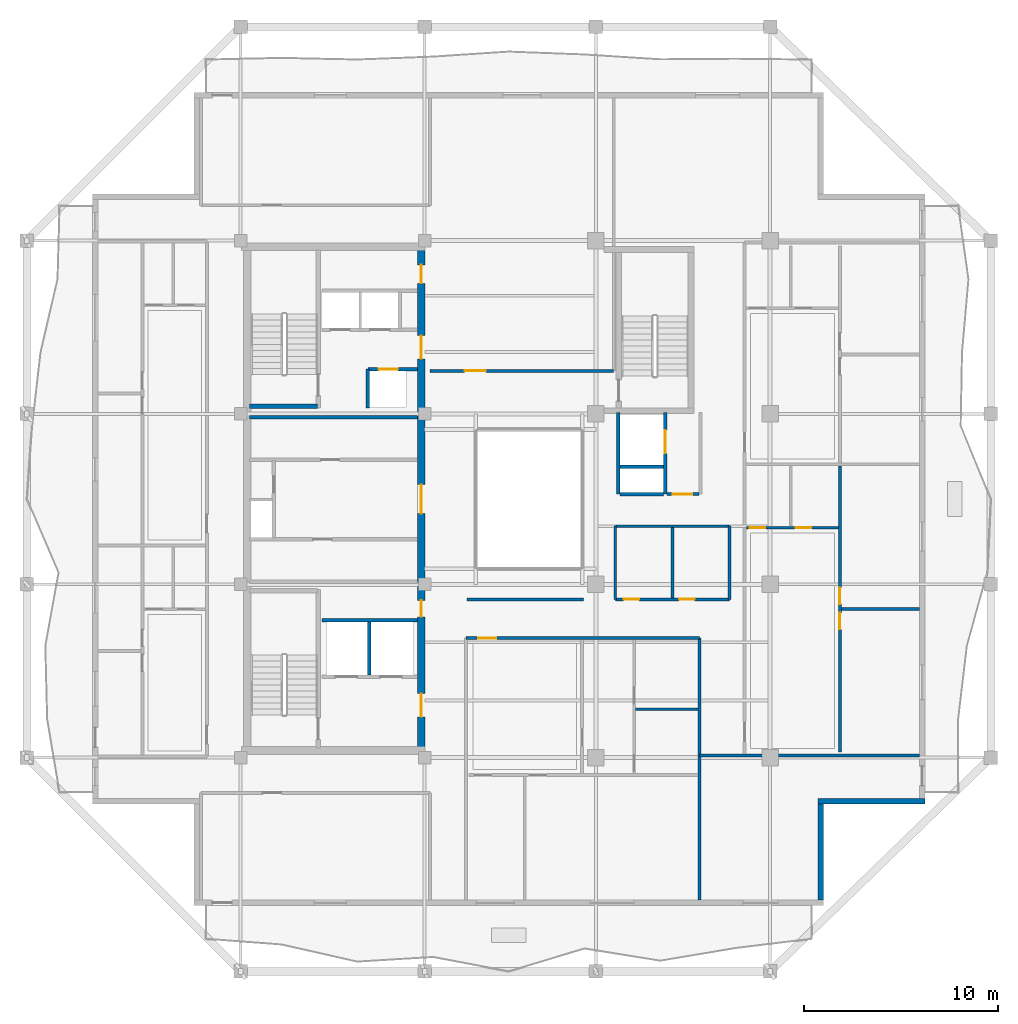
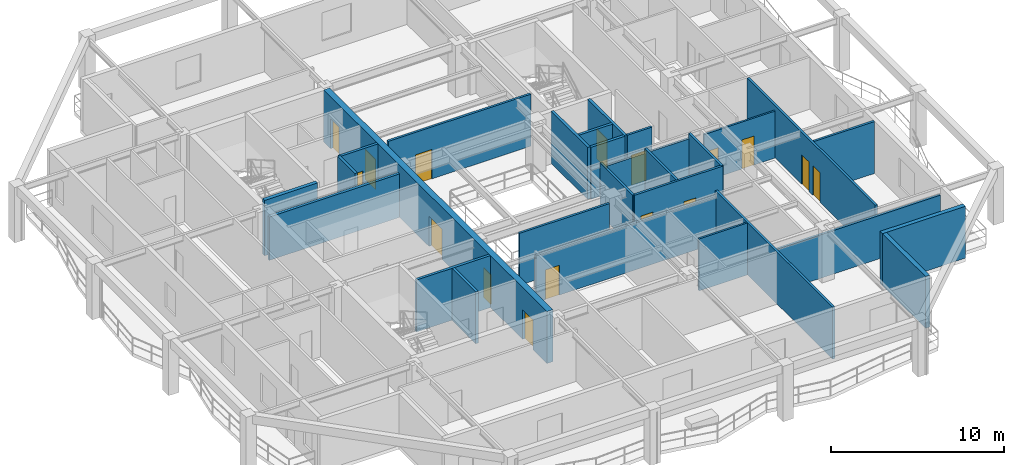
# One storey, part 4 of 12: 28 walls, 16 doors, 16 openings.
"""IFC4 building model written with IfcOpenShell, lengths in metres."""

from ifc_helpers import new_model, si_unit, direction, frame, frame_2d, origin, place, context, subcontext, project, spatial, rectangle, extrude, material, layer, layer_set, type_object, element, fill, save


model = new_model("IFC4")

# Units and contexts
model_context = context("Model", 3, precision=1e-05, world=origin(), true_north=direction((0.0, 1.0)))
body_context = subcontext(model_context, "Body", "Model", "MODEL_VIEW")
ifc_project = project(units=[si_unit("LENGTHUNIT", "METRE"), si_unit("AREAUNIT", "SQUARE_METRE"), si_unit("VOLUMEUNIT", "CUBIC_METRE"), si_unit("PLANEANGLEUNIT", "RADIAN"), si_unit("MASSUNIT", "GRAM", prefix="KILO")], contexts=[model_context])

# Site, building, storey
site_placement = place(None, origin())
site = spatial("IfcSite", under=ifc_project, at=site_placement, CompositionType="ELEMENT")
building_placement = place(site_placement, origin())
building = spatial("IfcBuilding", under=site, at=building_placement, Name="Kundavana Baori Tower", CompositionType="ELEMENT")
storey_placement = place(building_placement, frame((0.0, 0.0, 245.300048828125)))
storey = spatial("IfcBuildingStorey", under=building, at=storey_placement, Name="L60", CompositionType="ELEMENT", Elevation=245.300048828125)

# Wall, openings, doors
ifc_material_1 = material(Name="Concrete C50/60", Category="concrete")
ifc_layer_1 = layer(ifc_material_1, 0.39990234375, Name="WL-CORE-400")
ifc_layer_set_1 = layer_set([ifc_layer_1], Name="Concrete C50/60")
wall_type_1 = type_object("IfcWallType", Name="WL-CORE-400", PredefinedType="SHEAR", material=ifc_layer_set_1)
wall_1_placement = place(storey_placement, frame((24.780029296875, 15.739990234375, 0.0), z_axis=(0.0, 0.0, 1.0), x_axis=(0.0, 1.0, 0.0)))
wall_1 = element("IfcWall", 1, at=wall_1_placement, inside=storey, type_object=wall_type_1, Name="L60 Offset Core East Shear Wall", PredefinedType="SHEAR", context=body_context, shape_type="SweptSolid", body=[
    extrude(rectangle(XDim=25.760009765625, YDim=0.39990234375, at=frame_2d((12.8798828125, 0.0))), origin(), (0.0, 0.0, 1.0), 3.659912109375),
])
opening_1_placement = place(wall_1_placement, frame((1.610107421875, 0.0, 0.0)))
opening_1 = element("IfcOpeningElement", 2, at=opening_1_placement, cuts=wall_1, Name="Opening FD-120", PredefinedType="OPENING", context=body_context, shape_type="SweptSolid", body=[
    extrude(rectangle(XDim=1.199951171875, YDim=2.10009765625, at=frame_2d((0.60009765625, 1.050048828125))), frame((0.0, 0.2099609375, 0.0), z_axis=(0.0, -1.0, 0.0), x_axis=(1.0, 0.0, 0.0)), (0.0, 0.0, 1.0), 0.419921875),
])
opening_2_placement = place(wall_1_placement, frame((6.780029296875, 0.0, 0.0)))
opening_2 = element("IfcOpeningElement", 3, at=opening_2_placement, cuts=wall_1, Name="Opening FD-085", PredefinedType="OPENING", context=body_context, shape_type="SweptSolid", body=[
    extrude(rectangle(XDim=0.85009765625, YDim=2.06005859375, at=frame_2d((0.425048828125, 1.030029296875))), frame((0.0, 0.2099609375, 0.0), z_axis=(0.0, -1.0, 0.0), x_axis=(1.0, 0.0, 0.0)), (0.0, 0.0, 1.0), 0.419921875),
])
opening_3_placement = place(wall_1_placement, frame((12.110107421875, 0.0, 0.0)))
opening_3 = element("IfcOpeningElement", 4, at=opening_3_placement, cuts=wall_1, Name="Opening FD-150", PredefinedType="OPENING", context=body_context, shape_type="SweptSolid", body=[
    extrude(rectangle(XDim=1.5, YDim=2.1201171875, at=frame_2d((0.75, 1.06005859375))), frame((0.0, 0.2099609375, 0.0), z_axis=(0.0, -1.0, 0.0), x_axis=(1.0, 0.0, 0.0)), (0.0, 0.0, 1.0), 0.419921875),
])
opening_4_placement = place(wall_1_placement, frame((20.110107421875, 0.0, 0.0)))
opening_4 = element("IfcOpeningElement", 5, at=opening_4_placement, cuts=wall_1, Name="Opening FD-122", PredefinedType="OPENING", context=body_context, shape_type="SweptSolid", body=[
    extrude(rectangle(XDim=1.199951171875, YDim=2.1201171875, at=frame_2d((0.60009765625, 1.06005859375))), frame((0.0, 0.2099609375, 0.0), z_axis=(0.0, -1.0, 0.0), x_axis=(1.0, 0.0, 0.0)), (0.0, 0.0, 1.0), 0.419921875),
])
opening_5_placement = place(wall_1_placement, frame((24.010009765625, 0.0, 0.0)))
opening_5 = element("IfcOpeningElement", 6, at=opening_5_placement, cuts=wall_1, Name="Opening FD-095", PredefinedType="OPENING", context=body_context, shape_type="SweptSolid", body=[
    extrude(rectangle(XDim=0.949951171875, YDim=2.10009765625, at=frame_2d((0.47509765625, 1.050048828125))), frame((0.0, 0.2099609375, 0.0), z_axis=(0.0, -1.0, 0.0), x_axis=(1.0, 0.0, 0.0)), (0.0, 0.0, 1.0), 0.419921875),
])
ifc_material_2 = material(Name="Galvanised Steel Fire-Rated Door Leaf", Category="steel")
door_type_1 = type_object("IfcDoorType", Name="DR-FD120-1200", OperationType="NOTDEFINED", PredefinedType="DOOR", material=ifc_material_2)
door_1_placement = place(opening_1_placement, frame((1.199951171875, 0.0, 0.0), z_axis=(0.0, 0.0, 1.0), x_axis=(-1.0, 0.0, 0.0)))
door_1 = element("IfcDoor", 7, at=door_1_placement, inside=storey, type_object=door_type_1, Name="DR-L60-FFLOB-E", OperationType="SINGLE_SWING_RIGHT", OverallHeight=2.10009765625, OverallWidth=1.199951171875, PredefinedType="DOOR", context=body_context, shape_type="SweptSolid", body=[
    extrude(rectangle(XDim=1.199951171875, YDim=2.10009765625, at=frame_2d((0.60009765625, 1.050048828125))), frame((0.0, 0.02490234375, 0.0), z_axis=(0.0, -1.0, 0.0), x_axis=(1.0, 0.0, 0.0)), (0.0, 0.0, 1.0), 0.050048828125),
])
fill(opening_1, door_1)
ifc_material_3 = material(Name="Galvanised Steel Fire-Rated Door Leaf", Category="steel")
door_type_2 = type_object("IfcDoorType", Name="DR-FD60-1200", OperationType="NOTDEFINED", PredefinedType="DOOR", material=ifc_material_3)
door_2_placement = place(opening_4_placement, frame((1.199951171875, 0.0, 0.0), z_axis=(0.0, 0.0, 1.0), x_axis=(-1.0, 0.0, 0.0)))
door_2 = element("IfcDoor", 8, at=door_2_placement, inside=storey, type_object=door_type_2, Name="DR-L60-HRLOB-E", OperationType="SINGLE_SWING_RIGHT", OverallHeight=2.1201171875, OverallWidth=1.199951171875, PredefinedType="DOOR", context=body_context, shape_type="SweptSolid", body=[
    extrude(rectangle(XDim=1.199951171875, YDim=2.1201171875, at=frame_2d((0.60009765625, 1.06005859375))), frame((0.0, 0.02490234375, 0.0), z_axis=(0.0, -1.0, 0.0), x_axis=(1.0, 0.0, 0.0)), (0.0, 0.0, 1.0), 0.050048828125),
])
fill(opening_4, door_2)
ifc_material_4 = material(Name="Galvanised Steel Fire-Rated Door Leaf", Category="steel")
door_type_3 = type_object("IfcDoorType", Name="DR-FD60-1500", OperationType="NOTDEFINED", PredefinedType="DOOR", material=ifc_material_4)
door_3_placement = place(opening_3_placement, frame((1.5, 0.0, 0.0), z_axis=(0.0, 0.0, 1.0), x_axis=(-1.0, 0.0, 0.0)))
door_3 = element("IfcDoor", 9, at=door_3_placement, inside=storey, type_object=door_type_3, Name="DR-L60-LIFTHALL-E", OperationType="SINGLE_SWING_LEFT", OverallHeight=2.1201171875, OverallWidth=1.5, PredefinedType="DOOR", context=body_context, shape_type="SweptSolid", body=[
    extrude(rectangle(XDim=1.5, YDim=2.1201171875, at=frame_2d((0.75, 1.06005859375))), frame((0.0, 0.02490234375, 0.0), z_axis=(0.0, -1.0, 0.0), x_axis=(1.0, 0.0, 0.0)), (0.0, 0.0, 1.0), 0.050048828125),
])
fill(opening_3, door_3)
ifc_material_5 = material(Name="Galvanised Steel Fire-Rated Door Leaf", Category="steel")
door_type_4 = type_object("IfcDoorType", Name="DR-FD60-850", OperationType="NOTDEFINED", PredefinedType="DOOR", material=ifc_material_5)
door_4_placement = place(opening_2_placement, frame((0.85009765625, 0.0, 0.0), z_axis=(0.0, 0.0, 1.0), x_axis=(-1.0, 0.0, 0.0)))
door_4 = element("IfcDoor", 10, at=door_4_placement, inside=storey, type_object=door_type_4, Name="DR-L60-CSMK1", OperationType="SINGLE_SWING_LEFT", OverallHeight=2.06005859375, OverallWidth=0.85009765625, PredefinedType="DOOR", context=body_context, shape_type="SweptSolid", body=[
    extrude(rectangle(XDim=0.85009765625, YDim=2.06005859375, at=frame_2d((0.425048828125, 1.030029296875))), frame((0.0, 0.02490234375, 0.0), z_axis=(0.0, -1.0, 0.0), x_axis=(1.0, 0.0, 0.0)), (0.0, 0.0, 1.0), 0.050048828125),
])
fill(opening_2, door_4)
ifc_material_6 = material(Name="Engineered Teak Fire-Rated Timber Door Leaf", Category="wood")
door_type_5 = type_object("IfcDoorType", Name="DR-FD60-950", OperationType="NOTDEFINED", PredefinedType="DOOR", material=ifc_material_6)
door_5_placement = place(opening_5_placement, frame((0.949951171875, 0.0, 0.0), z_axis=(0.0, 0.0, 1.0), x_axis=(-1.0, 0.0, 0.0)))
door_5 = element("IfcDoor", 11, at=door_5_placement, inside=storey, type_object=door_type_5, Name="DR-L60-CSRV1", OperationType="SINGLE_SWING_LEFT", OverallHeight=2.10009765625, OverallWidth=0.949951171875, PredefinedType="DOOR", context=body_context, shape_type="SweptSolid", body=[
    extrude(rectangle(XDim=0.949951171875, YDim=2.10009765625, at=frame_2d((0.47509765625, 1.050048828125))), frame((0.0, 0.02490234375, 0.0), z_axis=(0.0, -1.0, 0.0), x_axis=(1.0, 0.0, 0.0)), (0.0, 0.0, 1.0), 0.050048828125),
])
fill(opening_5, door_5)

# Walls
wall_2_placement = place(storey_placement, frame((15.89990234375, 33.389892578125, 0.0), z_axis=(0.0, 0.0, 1.0), x_axis=(1.0, 0.0, 0.0)))
element("IfcWall", 12, at=wall_2_placement, inside=storey, type_object=wall_type_1, Name="WL-L60-ST2-S", PredefinedType="SHEAR", context=body_context, shape_type="SweptSolid", body=[
    extrude(rectangle(XDim=3.52001953125, YDim=0.239990234375, at=frame_2d((1.760009765625, 0.0))), origin(), (0.0, 0.0, 1.0), 3.89990234375),
])
ifc_material_7 = material(Name="Red-Buff Dholpur Sandstone Cladding on Concrete C40/50", Category="masonry")
ifc_layer_2 = layer(ifc_material_7, 0.280029296875, Name="WL-EXT-SAND-280")
ifc_layer_set_2 = layer_set([ifc_layer_2], Name="Red-Buff Dholpur Sandstone Cladding on Concrete C40/50")
wall_type_2 = type_object("IfcWallType", Name="WL-EXT-SAND-280", PredefinedType="STANDARD", material=ifc_layer_set_2)
wall_3_placement = place(storey_placement, frame((45.409912109375, 7.8798828125, 0.0), z_axis=(0.0, 0.0, 1.0), x_axis=(0.0, 1.0, 0.0)))
element("IfcWall", 13, at=wall_3_placement, inside=storey, type_object=wall_type_2, Name="L60 Exterior Insulated Facade Wall 02", PredefinedType="STANDARD", context=body_context, shape_type="SweptSolid", body=[
    extrude(rectangle(XDim=4.97021484375, YDim=0.280029296875, at=frame_2d((2.485107421875, 0.0))), origin(), (0.0, 0.0, 1.0), 3.659912109375),
])
wall_4_placement = place(storey_placement, frame((45.27001953125, 12.989990234375, 0.0), z_axis=(0.0, 0.0, 1.0), x_axis=(1.0, 0.0, 0.0)))
element("IfcWall", 14, at=wall_4_placement, inside=storey, type_object=wall_type_2, Name="L60 Exterior Insulated Facade Wall 03", PredefinedType="STANDARD", context=body_context, shape_type="SweptSolid", body=[
    extrude(rectangle(XDim=5.530029296875, YDim=0.280029296875, at=frame_2d((2.76513671875, 0.0))), origin(), (0.0, 0.0, 1.0), 3.659912109375),
])

# Wall, opening, door
ifc_material_8 = material(Name="Fire-Rated Gypsum Drywall on Galvanised Steel Studs", Category="steel")
ifc_layer_3 = layer(ifc_material_8, 0.14990234375, Name="WL-PART-150")
ifc_layer_set_3 = layer_set([ifc_layer_3], Name="Fire-Rated Gypsum Drywall on Galvanised Steel Studs")
wall_type_3 = type_object("IfcWallType", Name="WL-PART-150", PredefinedType="PARTITIONING", material=ifc_layer_set_3)
wall_5_placement = place(storey_placement, frame((37.47998046875, 28.860107421875, 0.0), z_axis=(0.0, 0.0, 1.0), x_axis=(1.0, 0.0, 0.0)))
wall_5 = element("IfcWall", 15, at=wall_5_placement, inside=storey, type_object=wall_type_3, Name="WL-L60-SVLOB-S", PredefinedType="PARTITIONING", context=body_context, shape_type="SweptSolid", body=[
    extrude(rectangle(XDim=1.64013671875, YDim=0.14990234375, at=frame_2d((0.820068359375, 0.0))), origin(), (0.0, 0.0, 1.0), 3.659912109375),
])
opening_6_placement = place(wall_5_placement, frame((0.300048828125, 0.0, 0.0)))
opening_6 = element("IfcOpeningElement", 16, at=opening_6_placement, cuts=wall_5, Name="Opening FD-100", PredefinedType="OPENING", context=body_context, shape_type="SweptSolid", body=[
    extrude(rectangle(XDim=1.0, YDim=2.10009765625, at=frame_2d((0.5, 1.050048828125))), frame((0.0, 0.0849609375, 0.0), z_axis=(0.0, -1.0, 0.0), x_axis=(1.0, 0.0, 0.0)), (0.0, 0.0, 1.0), 0.169921875),
])
ifc_material_9 = material(Name="Engineered Teak Fire-Rated Timber Door Leaf", Category="wood")
door_type_6 = type_object("IfcDoorType", Name="DR-FD60-1000", OperationType="NOTDEFINED", PredefinedType="DOOR", material=ifc_material_9)
door_6_placement = place(opening_6_placement, origin())
door_6 = element("IfcDoor", 17, at=door_6_placement, inside=storey, type_object=door_type_6, Name="DR-L60-SVLOB-OUT", OperationType="SINGLE_SWING_LEFT", OverallHeight=2.10009765625, OverallWidth=1.0, PredefinedType="DOOR", context=body_context, shape_type="SweptSolid", body=[
    extrude(rectangle(XDim=1.0, YDim=2.10009765625, at=frame_2d((0.5, 1.050048828125))), frame((0.0, 0.02490234375, 0.0), z_axis=(0.0, -1.0, 0.0), x_axis=(1.0, 0.0, 0.0)), (0.0, 0.0, 1.0), 0.050048828125),
])
fill(opening_6, door_6)

wall_6_placement = place(storey_placement, frame((27.080078125, 21.419921875, 0.0), z_axis=(0.0, 0.0, 1.0), x_axis=(1.0, 0.0, 0.0)))
wall_6 = element("IfcWall", 18, at=wall_6_placement, inside=storey, type_object=wall_type_3, Name="WL-L60-RS", PredefinedType="PARTITIONING", context=body_context, shape_type="SweptSolid", body=[
    extrude(rectangle(XDim=12.06982421875, YDim=0.14990234375, at=frame_2d((6.034912109375, 0.0))), origin(), (0.0, 0.0, 1.0), 3.31005859375),
])
opening_7_placement = place(wall_6_placement, frame((0.6298828125, 0.0, 0.0)))
opening_7 = element("IfcOpeningElement", 19, at=opening_7_placement, cuts=wall_6, Name="Opening FD-095", PredefinedType="OPENING", context=body_context, shape_type="SweptSolid", body=[
    extrude(rectangle(XDim=0.949951171875, YDim=2.10009765625, at=frame_2d((0.47509765625, 1.050048828125))), frame((0.0, 0.0849609375, 0.0), z_axis=(0.0, -1.0, 0.0), x_axis=(1.0, 0.0, 0.0)), (0.0, 0.0, 1.0), 0.169921875),
])
door_7_placement = place(opening_7_placement, frame((0.949951171875, 0.0, 0.0), z_axis=(0.0, 0.0, 1.0), x_axis=(-1.0, 0.0, 0.0)))
door_7 = element("IfcDoor", 20, at=door_7_placement, inside=storey, type_object=door_type_5, Name="DR-L60-S1-ENT", OperationType="SINGLE_SWING_RIGHT", OverallHeight=2.10009765625, OverallWidth=0.949951171875, PredefinedType="DOOR", context=body_context, shape_type="SweptSolid", body=[
    extrude(rectangle(XDim=0.949951171875, YDim=2.10009765625, at=frame_2d((0.47509765625, 1.050048828125))), frame((0.0, 0.02490234375, 0.0), z_axis=(0.0, -1.0, 0.0), x_axis=(1.0, 0.0, 0.0)), (0.0, 0.0, 1.0), 0.050048828125),
])
fill(opening_7, door_7)

# Wall
wall_7_placement = place(storey_placement, frame((27.14990234375, 23.419921875, 0.0), z_axis=(0.0, 0.0, 1.0), x_axis=(1.0, 0.0, 0.0)))
element("IfcWall", 21, at=wall_7_placement, inside=storey, type_object=wall_type_3, Name="WL-L60-RST", PredefinedType="PARTITIONING", context=body_context, shape_type="SweptSolid", body=[
    extrude(rectangle(XDim=6.0, YDim=0.14990234375, at=frame_2d((3.0, 0.0))), origin(), (0.0, 0.0, 1.0), 3.659912109375),
])

# Wall, opening, door
wall_8_placement = place(storey_placement, frame((25.219970703125, 35.219970703125, 0.0), z_axis=(0.0, 0.0, 1.0), x_axis=(1.0, 0.0, 0.0)))
wall_8 = element("IfcWall", 22, at=wall_8_placement, inside=storey, type_object=wall_type_3, Name="WL-L60-RN", PredefinedType="PARTITIONING", context=body_context, shape_type="SweptSolid", body=[
    extrude(rectangle(XDim=9.5, YDim=0.14990234375, at=frame_2d((4.75, 0.0))), origin(), (0.0, 0.0, 1.0), 3.659912109375),
])
opening_8_placement = place(wall_8_placement, frame((1.800048828125, 0.0, 0.0)))
opening_8 = element("IfcOpeningElement", 23, at=opening_8_placement, cuts=wall_8, Name="Opening ID-110", PredefinedType="OPENING", context=body_context, shape_type="SweptSolid", body=[
    extrude(rectangle(XDim=1.10009765625, YDim=2.080078125, at=frame_2d((0.550048828125, 1.0400390625))), frame((0.0, 0.0849609375, 0.0), z_axis=(0.0, -1.0, 0.0), x_axis=(1.0, 0.0, 0.0)), (0.0, 0.0, 1.0), 0.169921875),
])
ifc_material_10 = material(Name="Engineered Teak Solid-Core Timber Veneer", Category="wood")
door_type_7 = type_object("IfcDoorType", Name="DR-INT-1100", OperationType="NOTDEFINED", PredefinedType="DOOR", material=ifc_material_10)
door_8_placement = place(opening_8_placement, origin())
door_8 = element("IfcDoor", 24, at=door_8_placement, inside=storey, type_object=door_type_7, Name="DR-L60-RLNGN", OperationType="SINGLE_SWING_RIGHT", OverallHeight=2.080078125, OverallWidth=1.10009765625, PredefinedType="DOOR", context=body_context, shape_type="SweptSolid", body=[
    extrude(rectangle(XDim=1.10009765625, YDim=2.080078125, at=frame_2d((0.550048828125, 1.0400390625))), frame((0.0, 0.02490234375, 0.0), z_axis=(0.0, -1.0, 0.0), x_axis=(1.0, 0.0, 0.0)), (0.0, 0.0, 1.0), 0.050048828125),
])
fill(opening_8, door_8)

# Walls
wall_9_placement = place(storey_placement, frame((39.14990234375, 7.8798828125, 0.0), z_axis=(0.0, 0.0, 1.0), x_axis=(0.0, 1.0, 0.0)))
element("IfcWall", 25, at=wall_9_placement, inside=storey, type_object=wall_type_3, Name="WL-L60-RSEND", PredefinedType="PARTITIONING", context=body_context, shape_type="SweptSolid", body=[
    extrude(rectangle(XDim=13.5400390625, YDim=0.14990234375, at=frame_2d((6.77001953125, 0.0))), origin(), (0.0, 0.0, 1.0), 3.659912109375),
])
wall_10_placement = place(storey_placement, frame((39.14990234375, 15.35009765625, 0.0), z_axis=(0.0, 0.0, 1.0), x_axis=(1.0, 0.0, 0.0)))
element("IfcWall", 26, at=wall_10_placement, inside=storey, type_object=wall_type_3, Name="WL-L60-RES", PredefinedType="PARTITIONING", context=body_context, shape_type="SweptSolid", body=[
    extrude(rectangle(XDim=11.3701171875, YDim=0.14990234375, at=frame_2d((5.68505859375, 0.0))), origin(), (0.0, 0.0, 1.0), 3.06005859375),
])

# Wall, openings, doors
wall_11_placement = place(storey_placement, frame((46.407958984375, 15.530029296875, 0.0), z_axis=(0.0, 0.0, 1.0), x_axis=(0.0, 1.0, 0.0)))
wall_11 = element("IfcWall", 27, at=wall_11_placement, inside=storey, type_object=wall_type_3, Name="WL-L60-E1-VT", PredefinedType="PARTITIONING", context=body_context, shape_type="SweptSolid", body=[
    extrude(rectangle(XDim=14.7900390625, YDim=0.14990234375, at=frame_2d((7.39501953125, 0.0))), origin(), (0.0, 0.0, 1.0), 3.659912109375),
])
opening_9_placement = place(wall_11_placement, frame((6.344970703125, 0.0, 0.0)))
opening_9 = element("IfcOpeningElement", 28, at=opening_9_placement, cuts=wall_11, Name="Opening ID-085", PredefinedType="OPENING", context=body_context, shape_type="SweptSolid", body=[
    extrude(rectangle(XDim=0.85009765625, YDim=2.080078125, at=frame_2d((0.425048828125, 1.0400390625))), frame((0.0, 0.0849609375, 0.0), z_axis=(0.0, -1.0, 0.0), x_axis=(1.0, 0.0, 0.0)), (0.0, 0.0, 1.0), 0.169921875),
])
opening_10_placement = place(wall_11_placement, frame((7.64501953125, 0.0, 0.0)))
opening_10 = element("IfcOpeningElement", 29, at=opening_10_placement, cuts=wall_11, Name="Opening ID-085", PredefinedType="OPENING", context=body_context, shape_type="SweptSolid", body=[
    extrude(rectangle(XDim=0.85009765625, YDim=2.080078125, at=frame_2d((0.425048828125, 1.0400390625))), frame((0.0, 0.0849609375, 0.0), z_axis=(0.0, -1.0, 0.0), x_axis=(1.0, 0.0, 0.0)), (0.0, 0.0, 1.0), 0.169921875),
])
ifc_material_11 = material(Name="Engineered Teak Solid-Core Timber Veneer", Category="wood")
door_type_8 = type_object("IfcDoorType", Name="DR-INT-850", OperationType="NOTDEFINED", PredefinedType="DOOR", material=ifc_material_11)
door_9_placement = place(opening_9_placement, origin())
door_9 = element("IfcDoor", 30, at=door_9_placement, inside=storey, type_object=door_type_8, Name="DR-L60-E1-B1", OperationType="SINGLE_SWING_LEFT", OverallHeight=2.080078125, OverallWidth=0.85009765625, PredefinedType="DOOR", context=body_context, shape_type="SweptSolid", body=[
    extrude(rectangle(XDim=0.85009765625, YDim=2.080078125, at=frame_2d((0.425048828125, 1.0400390625))), frame((0.0, 0.02490234375, 0.0), z_axis=(0.0, -1.0, 0.0), x_axis=(1.0, 0.0, 0.0)), (0.0, 0.0, 1.0), 0.050048828125),
])
fill(opening_9, door_9)
door_10_placement = place(opening_10_placement, origin())
door_10 = element("IfcDoor", 31, at=door_10_placement, inside=storey, type_object=door_type_8, Name="DR-L60-E1-B2", OperationType="SINGLE_SWING_RIGHT", OverallHeight=2.080078125, OverallWidth=0.85009765625, PredefinedType="DOOR", context=body_context, shape_type="SweptSolid", body=[
    extrude(rectangle(XDim=0.85009765625, YDim=2.080078125, at=frame_2d((0.425048828125, 1.0400390625))), frame((0.0, 0.02490234375, 0.0), z_axis=(0.0, -1.0, 0.0), x_axis=(1.0, 0.0, 0.0)), (0.0, 0.0, 1.0), 0.050048828125),
])
fill(opening_10, door_10)

# Wall
wall_12_placement = place(storey_placement, frame((46.488037109375, 22.925048828125, 0.0), z_axis=(0.0, 0.0, 1.0), x_axis=(1.0, 0.0, 0.0)))
element("IfcWall", 32, at=wall_12_placement, inside=storey, type_object=wall_type_3, Name="WL-L60-E1-BDH", PredefinedType="PARTITIONING", context=body_context, shape_type="SweptSolid", body=[
    extrude(rectangle(XDim=4.031982421875, YDim=0.14990234375, at=frame_2d((2.01611328125, 0.0))), origin(), (0.0, 0.0, 1.0), 3.659912109375),
])

# Wall, openings, doors
wall_13_placement = place(storey_placement, frame((34.800048828125, 23.419921875, 0.0), z_axis=(0.0, 0.0, 1.0), x_axis=(1.0, 0.0, 0.0)))
wall_13 = element("IfcWall", 33, at=wall_13_placement, inside=storey, type_object=wall_type_3, Name="WL-L60-ALS", PredefinedType="PARTITIONING", context=body_context, shape_type="SweptSolid", body=[
    extrude(rectangle(XDim=5.89990234375, YDim=0.14990234375, at=frame_2d((2.949951171875, 0.0))), origin(), (0.0, 0.0, 1.0), 3.659912109375),
])
opening_11_placement = place(wall_13_placement, frame((0.429931640625, 0.0, 0.0)))
opening_11 = element("IfcOpeningElement", 34, at=opening_11_placement, cuts=wall_13, Name="Opening WD-080", PredefinedType="OPENING", context=body_context, shape_type="SweptSolid", body=[
    extrude(rectangle(XDim=0.800048828125, YDim=2.050048828125, at=frame_2d((0.39990234375, 1.02490234375))), frame((0.0, 0.0849609375, 0.0), z_axis=(0.0, -1.0, 0.0), x_axis=(1.0, 0.0, 0.0)), (0.0, 0.0, 1.0), 0.169921875),
])
opening_12_placement = place(wall_13_placement, frame((3.300048828125, 0.0, 0.0)))
opening_12 = element("IfcOpeningElement", 35, at=opening_12_placement, cuts=wall_13, Name="Opening WD-080", PredefinedType="OPENING", context=body_context, shape_type="SweptSolid", body=[
    extrude(rectangle(XDim=0.800048828125, YDim=2.050048828125, at=frame_2d((0.39990234375, 1.02490234375))), frame((0.0, 0.0849609375, 0.0), z_axis=(0.0, -1.0, 0.0), x_axis=(1.0, 0.0, 0.0)), (0.0, 0.0, 1.0), 0.169921875),
])
ifc_material_12 = material(Name="Engineered Teak Solid-Core Timber Veneer", Category="wood")
door_type_9 = type_object("IfcDoorType", Name="DR-WET-800", OperationType="NOTDEFINED", PredefinedType="DOOR", material=ifc_material_12)
door_11_placement = place(opening_11_placement, origin())
door_11 = element("IfcDoor", 36, at=door_11_placement, inside=storey, type_object=door_type_9, Name="DR-L60-RALC1", OperationType="SINGLE_SWING_LEFT", OverallHeight=2.050048828125, OverallWidth=0.800048828125, PredefinedType="DOOR", context=body_context, shape_type="SweptSolid", body=[
    extrude(rectangle(XDim=0.800048828125, YDim=2.050048828125, at=frame_2d((0.39990234375, 1.02490234375))), frame((0.0, 0.02490234375, 0.0), z_axis=(0.0, -1.0, 0.0), x_axis=(1.0, 0.0, 0.0)), (0.0, 0.0, 1.0), 0.050048828125),
])
fill(opening_11, door_11)
door_12_placement = place(opening_12_placement, origin())
door_12 = element("IfcDoor", 37, at=door_12_placement, inside=storey, type_object=door_type_9, Name="DR-L60-RALC2", OperationType="SINGLE_SWING_LEFT", OverallHeight=2.050048828125, OverallWidth=0.800048828125, PredefinedType="DOOR", context=body_context, shape_type="SweptSolid", body=[
    extrude(rectangle(XDim=0.800048828125, YDim=2.050048828125, at=frame_2d((0.39990234375, 1.02490234375))), frame((0.0, 0.02490234375, 0.0), z_axis=(0.0, -1.0, 0.0), x_axis=(1.0, 0.0, 0.0)), (0.0, 0.0, 1.0), 0.050048828125),
])
fill(opening_12, door_12)

# Walls
wall_14_placement = place(storey_placement, frame((34.800048828125, 27.199951171875, 0.0), z_axis=(0.0, 0.0, 1.0), x_axis=(1.0, 0.0, 0.0)))
element("IfcWall", 38, at=wall_14_placement, inside=storey, type_object=wall_type_3, Name="WL-L60-ALN", PredefinedType="PARTITIONING", context=body_context, shape_type="SweptSolid", body=[
    extrude(rectangle(XDim=5.89990234375, YDim=0.14990234375, at=frame_2d((2.949951171875, 0.0))), origin(), (0.0, 0.0, 1.0), 3.31005859375),
])
for number, where, z_axis, x_axis, name in (
    (39, (34.800048828125, 23.419921875, 0.0), (0.0, 0.0, 1.0), (0.0, 1.0, 0.0), "WL-L60-ALW"),
    (40, (40.699951171875, 23.419921875, 0.0), (0.0, 0.0, 1.0), (0.0, 1.0, 0.0), "WL-L60-ALE"),
):
    element("IfcWall", number, at=place(storey_placement, frame(where, z_axis=z_axis, x_axis=x_axis)), inside=storey, type_object=wall_type_3, Name=name, PredefinedType="PARTITIONING", context=body_context, shape_type="SweptSolid", body=[
        extrude(rectangle(XDim=3.780029296875, YDim=0.14990234375, at=frame_2d((1.89013671875, 0.0))), origin(), (0.0, 0.0, 1.0), 3.659912109375),
    ])
wall_15_placement = place(storey_placement, frame((37.75, 23.47998046875, 0.0), z_axis=(0.0, 0.0, 1.0), x_axis=(0.0, 1.0, 0.0)))
element("IfcWall", 41, at=wall_15_placement, inside=storey, type_object=wall_type_3, Name="WL-L60-ALD1", PredefinedType="PARTITIONING", context=body_context, shape_type="SweptSolid", body=[
    extrude(rectangle(XDim=3.659912109375, YDim=0.14990234375, at=frame_2d((1.830078125, 0.0))), origin(), (0.0, 0.0, 1.0), 3.659912109375),
])
ifc_material_13 = material(Name="Autoclaved Aerated Concrete Blockwork Masonry", Category="masonry")
ifc_layer_4 = layer(ifc_material_13, 0.179931640625, Name="WL-SHAFT-180")
ifc_layer_set_4 = layer_set([ifc_layer_4], Name="Autoclaved Aerated Concrete Blockwork Masonry")
wall_type_4 = type_object("IfcWallType", Name="WL-SHAFT-180", PredefinedType="SOLIDWALL", material=ifc_layer_set_4)
wall_16_placement = place(storey_placement, frame((22.10009765625, 19.510009765625, 0.0), z_axis=(0.0, 0.0, 1.0), x_axis=(0.0, 1.0, 0.0)))
element("IfcWall", 42, at=wall_16_placement, inside=storey, type_object=wall_type_4, Name="WL-L60-FFL-MID", PredefinedType="SOLIDWALL", context=body_context, shape_type="SweptSolid", body=[
    extrude(rectangle(XDim=2.739990234375, YDim=0.179931640625, at=frame_2d((1.3701171875, 0.0))), origin(), (0.0, 0.0, 1.0), 3.659912109375),
])
wall_17_placement = place(storey_placement, frame((19.639892578125, 22.340087890625, 0.0), z_axis=(0.0, 0.0, 1.0), x_axis=(1.0, 0.0, 0.0)))
element("IfcWall", 43, at=wall_17_placement, inside=storey, type_object=wall_type_4, Name="WL-L60-FFL-N", PredefinedType="SOLIDWALL", context=body_context, shape_type="SweptSolid", body=[
    extrude(rectangle(XDim=4.940185546875, YDim=0.179931640625, at=frame_2d((2.47021484375, 0.0))), origin(), (0.0, 0.0, 1.0), 3.659912109375),
])
wall_18_placement = place(storey_placement, frame((15.89990234375, 32.820068359375, 0.0), z_axis=(0.0, 0.0, 1.0), x_axis=(1.0, 0.0, 0.0)))
element("IfcWall", 44, at=wall_18_placement, inside=storey, type_object=wall_type_4, Name="WL-L60-LPMID-N", PredefinedType="SOLIDWALL", context=body_context, shape_type="SweptSolid", body=[
    extrude(rectangle(XDim=8.68017578125, YDim=0.179931640625, at=frame_2d((4.340087890625, 0.0))), origin(), (0.0, 0.0, 1.0), 3.06005859375),
])

# Wall, opening, door
wall_19_placement = place(storey_placement, frame((22.02001953125, 35.31005859375, 0.0), z_axis=(0.0, 0.0, 1.0), x_axis=(1.0, 0.0, 0.0)))
wall_19 = element("IfcWall", 45, at=wall_19_placement, inside=storey, type_object=wall_type_4, Name="WL-L60-LP11-N", PredefinedType="SOLIDWALL", context=body_context, shape_type="SweptSolid", body=[
    extrude(rectangle(XDim=2.56005859375, YDim=0.179931640625, at=frame_2d((1.280029296875, 0.0))), origin(), (0.0, 0.0, 1.0), 3.659912109375),
])
opening_13_placement = place(wall_19_placement, frame((0.550048828125, 0.0, 0.0)))
opening_13 = element("IfcOpeningElement", 46, at=opening_13_placement, cuts=wall_19, Name="Opening LD-100", PredefinedType="OPENING", context=body_context, shape_type="SweptSolid", body=[
    extrude(rectangle(XDim=1.0, YDim=2.10009765625, at=frame_2d((0.5, 1.050048828125))), frame((0.0, 0.10009765625, 0.0), z_axis=(0.0, -1.0, 0.0), x_axis=(1.0, 0.0, 0.0)), (0.0, 0.0, 1.0), 0.199951171875),
])
ifc_material_14 = material(Name="Galvanised Steel Fire-Rated Door Leaf", Category="steel")
door_type_10 = type_object("IfcDoorType", Name="DR-SLIDE-LD1000", OperationType="NOTDEFINED", PredefinedType="DOOR", material=ifc_material_14)
door_13_placement = place(opening_13_placement, origin())
door_13 = element("IfcDoor", 47, at=door_13_placement, inside=storey, type_object=door_type_10, Name="DR-L60-LD-LP11", OperationType="DOUBLE_DOOR_SLIDING", OverallHeight=2.10009765625, OverallWidth=1.0, PredefinedType="DOOR", context=body_context, shape_type="SweptSolid", body=[
    extrude(rectangle(XDim=1.0, YDim=2.10009765625, at=frame_2d((0.5, 1.050048828125))), frame((0.0, 0.02490234375, 0.0), z_axis=(0.0, -1.0, 0.0), x_axis=(1.0, 0.0, 0.0)), (0.0, 0.0, 1.0), 0.050048828125),
])
fill(opening_13, door_13)

# Walls
wall_20_placement = place(storey_placement, frame((22.02001953125, 33.300048828125, 0.0), z_axis=(0.0, 0.0, 1.0), x_axis=(0.0, 1.0, 0.0)))
element("IfcWall", 48, at=wall_20_placement, inside=storey, type_object=wall_type_4, Name="WL-L60-LP11-W", PredefinedType="SOLIDWALL", context=body_context, shape_type="SweptSolid", body=[
    extrude(rectangle(XDim=2.010009765625, YDim=0.179931640625, at=frame_2d((1.0048828125, 0.0))), origin(), (0.0, 0.0, 1.0), 3.659912109375),
])
wall_21_placement = place(storey_placement, frame((34.9599609375, 28.860107421875, 0.0), z_axis=(0.0, 0.0, 1.0), x_axis=(0.0, 1.0, 0.0)))
element("IfcWall", 49, at=wall_21_placement, inside=storey, type_object=wall_type_4, Name="WL-L60-SVL-W", PredefinedType="SOLIDWALL", context=body_context, shape_type="SweptSolid", body=[
    extrude(rectangle(XDim=4.219970703125, YDim=0.179931640625, at=frame_2d((2.10986328125, 0.0))), origin(), (0.0, 0.0, 1.0), 3.659912109375),
])

# Wall, opening, door
wall_22_placement = place(storey_placement, frame((37.389892578125, 28.860107421875, 0.0), z_axis=(0.0, 0.0, 1.0), x_axis=(0.0, 1.0, 0.0)))
wall_22 = element("IfcWall", 50, at=wall_22_placement, inside=storey, type_object=wall_type_4, Name="WL-L60-SVL-E", PredefinedType="SOLIDWALL", context=body_context, shape_type="SweptSolid", body=[
    extrude(rectangle(XDim=4.219970703125, YDim=0.179931640625, at=frame_2d((2.10986328125, 0.0))), origin(), (0.0, 0.0, 1.0), 3.659912109375),
])
opening_14_placement = place(wall_22_placement, frame((2.10009765625, 0.0, 0.0)))
opening_14 = element("IfcOpeningElement", 51, at=opening_14_placement, cuts=wall_22, Name="Opening LD-120", PredefinedType="OPENING", context=body_context, shape_type="SweptSolid", body=[
    extrude(rectangle(XDim=1.199951171875, YDim=2.1201171875, at=frame_2d((0.60009765625, 1.06005859375))), frame((0.0, 0.10009765625, 0.0), z_axis=(0.0, -1.0, 0.0), x_axis=(1.0, 0.0, 0.0)), (0.0, 0.0, 1.0), 0.199951171875),
])
ifc_material_15 = material(Name="Galvanised Steel Fire-Rated Door Leaf", Category="steel")
door_type_11 = type_object("IfcDoorType", Name="DR-SLIDE-LD1200", OperationType="NOTDEFINED", PredefinedType="DOOR", material=ifc_material_15)
door_14_placement = place(opening_14_placement, frame((1.199951171875, 0.0, 0.0), z_axis=(0.0, 0.0, 1.0), x_axis=(-1.0, 0.0, 0.0)))
door_14 = element("IfcDoor", 52, at=door_14_placement, inside=storey, type_object=door_type_11, Name="DR-L60-LD-SVL1", OperationType="DOUBLE_DOOR_SLIDING", OverallHeight=2.1201171875, OverallWidth=1.199951171875, PredefinedType="DOOR", context=body_context, shape_type="SweptSolid", body=[
    extrude(rectangle(XDim=1.199951171875, YDim=2.1201171875, at=frame_2d((0.60009765625, 1.06005859375))), frame((0.0, 0.02490234375, 0.0), z_axis=(0.0, -1.0, 0.0), x_axis=(1.0, 0.0, 0.0)), (0.0, 0.0, 1.0), 0.050048828125),
])
fill(opening_14, door_14)

# Walls
for number, where, z_axis, x_axis, name in (
    (53, (35.050048828125, 28.860107421875, 0.0), (0.0, 0.0, 1.0), (1.0, 0.0, 0.0), "WL-L60-SVL-S"),
    (54, (35.050048828125, 30.27001953125, 0.0), (0.0, 0.0, 1.0), (1.0, 0.0, 0.0), "WL-L60-SVL-M"),
):
    element("IfcWall", number, at=place(storey_placement, frame(where, z_axis=z_axis, x_axis=x_axis)), inside=storey, type_object=wall_type_4, Name=name, PredefinedType="SOLIDWALL", context=body_context, shape_type="SweptSolid", body=[
        extrude(rectangle(XDim=2.25, YDim=0.179931640625, at=frame_2d((1.125, 0.0))), origin(), (0.0, 0.0, 1.0), 3.659912109375),
    ])
ifc_material_16 = material(Name="Autoclaved Aerated Concrete Blockwork Masonry", Category="masonry")
ifc_layer_5 = layer(ifc_material_16, 0.125, Name="WL-WET-120")
ifc_layer_set_5 = layer_set([ifc_layer_5], Name="Autoclaved Aerated Concrete Blockwork Masonry")
wall_type_5 = type_object("IfcWallType", Name="WL-WET-120", PredefinedType="PLUMBINGWALL", material=ifc_layer_set_5)
wall_23_placement = place(storey_placement, frame((35.85009765625, 17.741943359375, 0.0), z_axis=(0.0, 0.0, 1.0), x_axis=(1.0, 0.0, 0.0)))
element("IfcWall", 55, at=wall_23_placement, inside=storey, type_object=wall_type_5, Name="WL-L60-S1-BT", PredefinedType="PLUMBINGWALL", context=body_context, shape_type="SweptSolid", body=[
    extrude(rectangle(XDim=3.219970703125, YDim=0.125, at=frame_2d((1.60986328125, 0.0))), origin(), (0.0, 0.0, 1.0), 3.659912109375),
])

# Wall, openings, doors
wall_24_placement = place(storey_placement, frame((41.580078125, 27.1201171875, 0.0), z_axis=(0.0, 0.0, 1.0), x_axis=(1.0, 0.0, 0.0)))
wall_24 = element("IfcWall", 56, at=wall_24_placement, inside=storey, type_object=wall_type_5, Name="WL-L60-E1-KH", PredefinedType="PLUMBINGWALL", context=body_context, shape_type="SweptSolid", body=[
    extrude(rectangle(XDim=4.747802734375, YDim=0.125, at=frame_2d((2.3740234375, 0.0))), origin(), (0.0, 0.0, 1.0), 3.31005859375),
])
opening_15_placement = place(wall_24_placement, frame((0.159912109375, 0.0, 0.0)))
opening_15 = element("IfcOpeningElement", 57, at=opening_15_placement, cuts=wall_24, Name="Opening WD-080", PredefinedType="OPENING", context=body_context, shape_type="SweptSolid", body=[
    extrude(rectangle(XDim=0.800048828125, YDim=2.050048828125, at=frame_2d((0.39990234375, 1.02490234375))), frame((0.0, 0.072509765625, 0.0), z_axis=(0.0, -1.0, 0.0), x_axis=(1.0, 0.0, 0.0)), (0.0, 0.0, 1.0), 0.14501953125),
])
opening_16_placement = place(wall_24_placement, frame((2.5390625, 0.0, 0.0)))
opening_16 = element("IfcOpeningElement", 58, at=opening_16_placement, cuts=wall_24, Name="Opening WD-080", PredefinedType="OPENING", context=body_context, shape_type="SweptSolid", body=[
    extrude(rectangle(XDim=0.800048828125, YDim=2.050048828125, at=frame_2d((0.39990234375, 1.02490234375))), frame((0.0, 0.072509765625, 0.0), z_axis=(0.0, -1.0, 0.0), x_axis=(1.0, 0.0, 0.0)), (0.0, 0.0, 1.0), 0.14501953125),
])
door_15_placement = place(opening_15_placement, origin())
door_15 = element("IfcDoor", 59, at=door_15_placement, inside=storey, type_object=door_type_9, Name="DR-L60-E1-BT", OperationType="SINGLE_SWING_LEFT", OverallHeight=2.050048828125, OverallWidth=0.800048828125, PredefinedType="DOOR", context=body_context, shape_type="SweptSolid", body=[
    extrude(rectangle(XDim=0.800048828125, YDim=2.050048828125, at=frame_2d((0.39990234375, 1.02490234375))), frame((0.0, 0.02490234375, 0.0), z_axis=(0.0, -1.0, 0.0), x_axis=(1.0, 0.0, 0.0)), (0.0, 0.0, 1.0), 0.050048828125),
])
fill(opening_15, door_15)
door_16_placement = place(opening_16_placement, origin())
door_16 = element("IfcDoor", 60, at=door_16_placement, inside=storey, type_object=door_type_9, Name="DR-L60-E1-KT", OperationType="SINGLE_SWING_RIGHT", OverallHeight=2.050048828125, OverallWidth=0.800048828125, PredefinedType="DOOR", context=body_context, shape_type="SweptSolid", body=[
    extrude(rectangle(XDim=0.800048828125, YDim=2.050048828125, at=frame_2d((0.39990234375, 1.02490234375))), frame((0.0, 0.02490234375, 0.0), z_axis=(0.0, -1.0, 0.0), x_axis=(1.0, 0.0, 0.0)), (0.0, 0.0, 1.0), 0.050048828125),
])
fill(opening_16, door_16)

save(model, "model.ifc")
